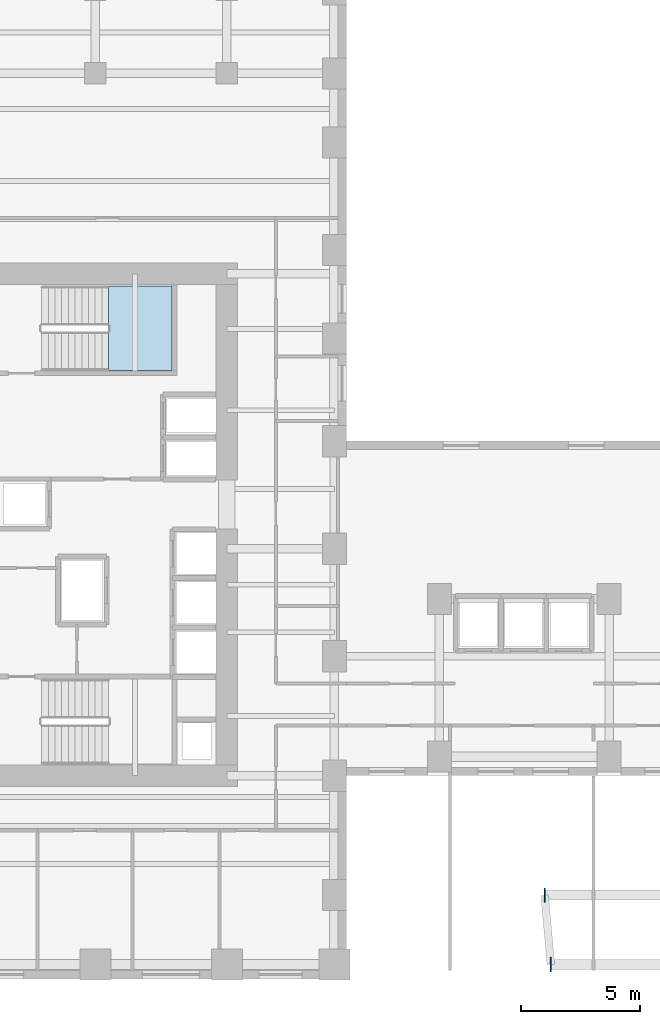
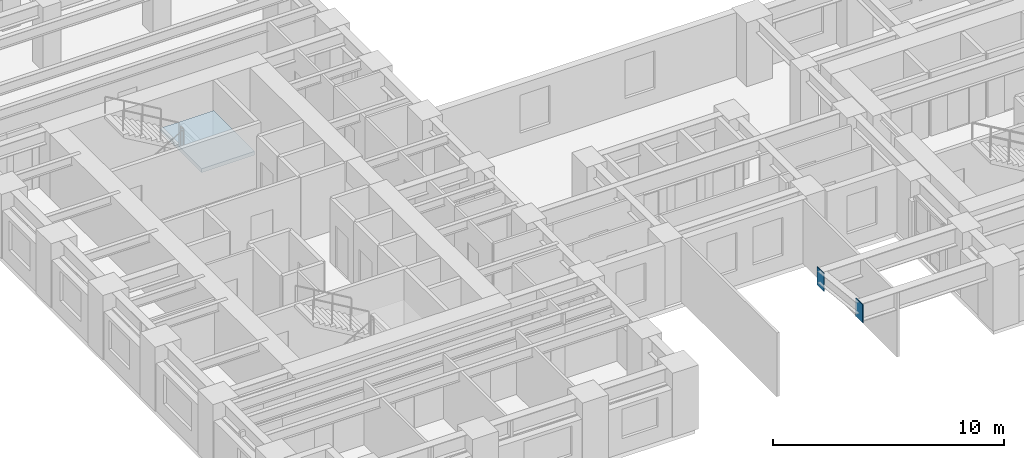
# One storey, part 5 of 14: 2 plates, 1 slab, 1 element without a shape of its own.
"""IFC4 building model written with IfcOpenShell, lengths in metres."""

from ifc_helpers import new_model, si_unit, direction, frame, origin, origin_2d, place, context, subcontext, project, spatial, polyline, rectangle, outline, extrude, source, transform, mapped, material, layer, layer_set, type_object, element, aggregate, save


model = new_model("IFC4")

# Units and contexts
model_context = context("Model", 3, precision=1e-05, world=origin(), true_north=direction((0.0, 1.0)))
body_context = subcontext(model_context, "Body", "Model", "MODEL_VIEW")
ifc_project = project(units=[si_unit("LENGTHUNIT", "METRE"), si_unit("AREAUNIT", "SQUARE_METRE"), si_unit("VOLUMEUNIT", "CUBIC_METRE"), si_unit("PLANEANGLEUNIT", "RADIAN"), si_unit("MASSUNIT", "GRAM", prefix="KILO")], contexts=[model_context])

# Site, building, storey
site_placement = place(None, origin())
site = spatial("IfcSite", under=ifc_project, at=site_placement, CompositionType="ELEMENT")
building_placement = place(site_placement, origin())
building = spatial("IfcBuilding", under=site, at=building_placement, Name="Kharzan Plaza Tower", CompositionType="ELEMENT")
storey_placement = place(building_placement, frame((0.0, 0.0, 29.699951171875)))
storey = spatial("IfcBuildingStorey", under=building, at=storey_placement, Name="L07", CompositionType="ELEMENT", Elevation=29.699951171875)

# Stair, slab
ifc_material_1 = material(Name="Concrete C40/50", Category="concrete")
stair_type = type_object("IfcStairType", Name="STR-ST-2", PredefinedType="HALF_TURN_STAIR", material=ifc_material_1)
stair_placement = place(storey_placement, origin())
stair = element("IfcStair", 1, at=stair_placement, inside=storey, type_object=stair_type, Name="L07 Protected Exit Stair ST-2", PredefinedType="HALF_TURN_STAIR")
ifc_layer_1 = layer(ifc_material_1, 0.219970703125)
ifc_layer_set_1 = layer_set([ifc_layer_1], Name="Concrete C40/50")
slab_type = type_object("IfcSlabType", Name="SL-LANDING-220", PredefinedType="LANDING", material=ifc_layer_set_1)
slab_placement = place(storey_placement, frame((0.0, 0.0, 1.60009765625)))
slab = element("IfcSlab", 2, at=slab_placement, type_object=slab_type, Name="ST-2 landing 1", PredefinedType="LANDING", context=body_context, shape_type="SweptSolid", body=[
    extrude(outline(polyline([(9.550048828125, 25.449951171875), (12.199951171875, 25.449951171875), (12.199951171875, 29.0), (9.550048828125, 29.0), (9.550048828125, 25.449951171875)])), origin(), (0.0, 0.0, 1.0), 0.199951171875),
])
aggregate(stair, [slab])

# Plates
ifc_material_2 = material(Name="Steel S460", Category="steel")
ifc_layer_2 = layer(ifc_material_2, 0.0419921875)
ifc_layer_set_2 = layer_set([ifc_layer_2], Name="Steel S460")
plate_type = type_object("IfcPlateType", Name="PLT-ZTN1", PredefinedType="USERDEFINED", material=ifc_layer_set_2)
shared_shape = source(origin(), body_context, "Body", "SweptSolid", [
    extrude(rectangle(XDim=0.60009765625, YDim=0.0419921875, at=origin_2d()), origin(), (0.0, 0.0, 1.0), 0.949951171875),
])
for number, where, z_axis, x_axis, name in (
    (3, (28.06396484375, 0.60009765625, 2.4365234375), (0.0, 0.0, 1.0), (0.0, 1.0, 0.0), "L07 Sky-Terrace Cantilever Tip Plate ZTN1"),
    (4, (27.800048828125, 3.5, 2.4365234375), (0.0, 0.0, 1.0), (0.0, 1.0, 0.0), "L07 Sky-Terrace Cantilever Tip Plate ZTN1"),
):
    element("IfcPlate", number, at=place(storey_placement, frame(where, z_axis=z_axis, x_axis=x_axis)), inside=storey, type_object=plate_type, Name=name, ObjectType="FLANGE_PLATE", PredefinedType="USERDEFINED", context=body_context, shape_type="MappedRepresentation", body=[
        mapped(shared_shape, transform((0.0, 0.0, 0.0), x_axis=(1.0, 0.0, 0.0), y_axis=(0.0, 1.0, 0.0), z_axis=(0.0, 0.0, 1.0))),
    ])

save(model, "model.ifc")
